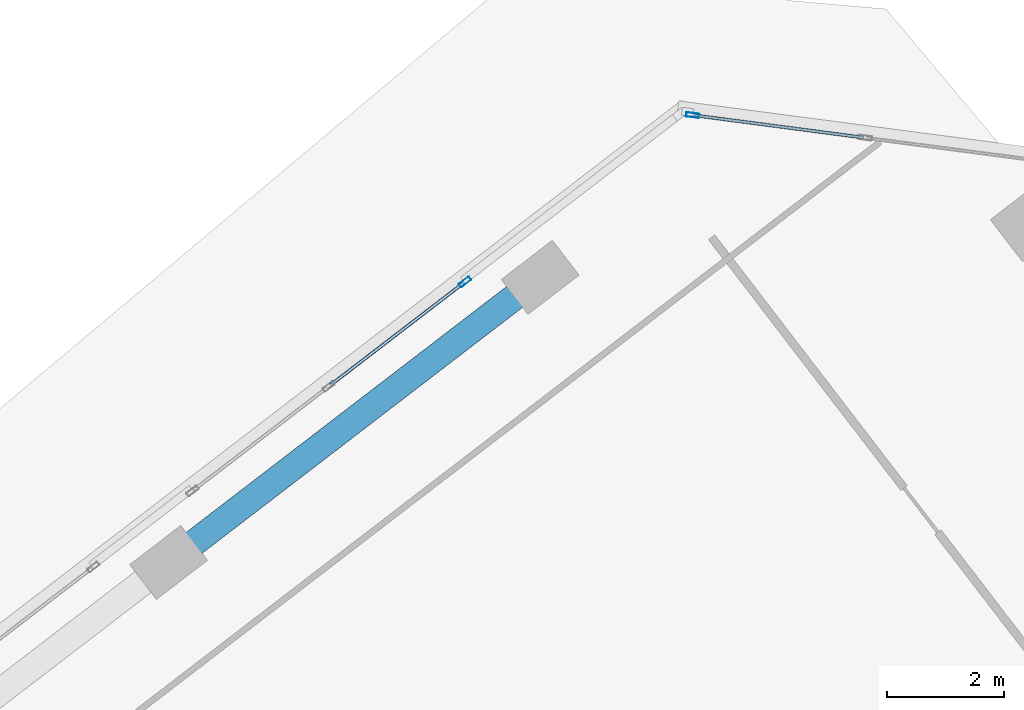
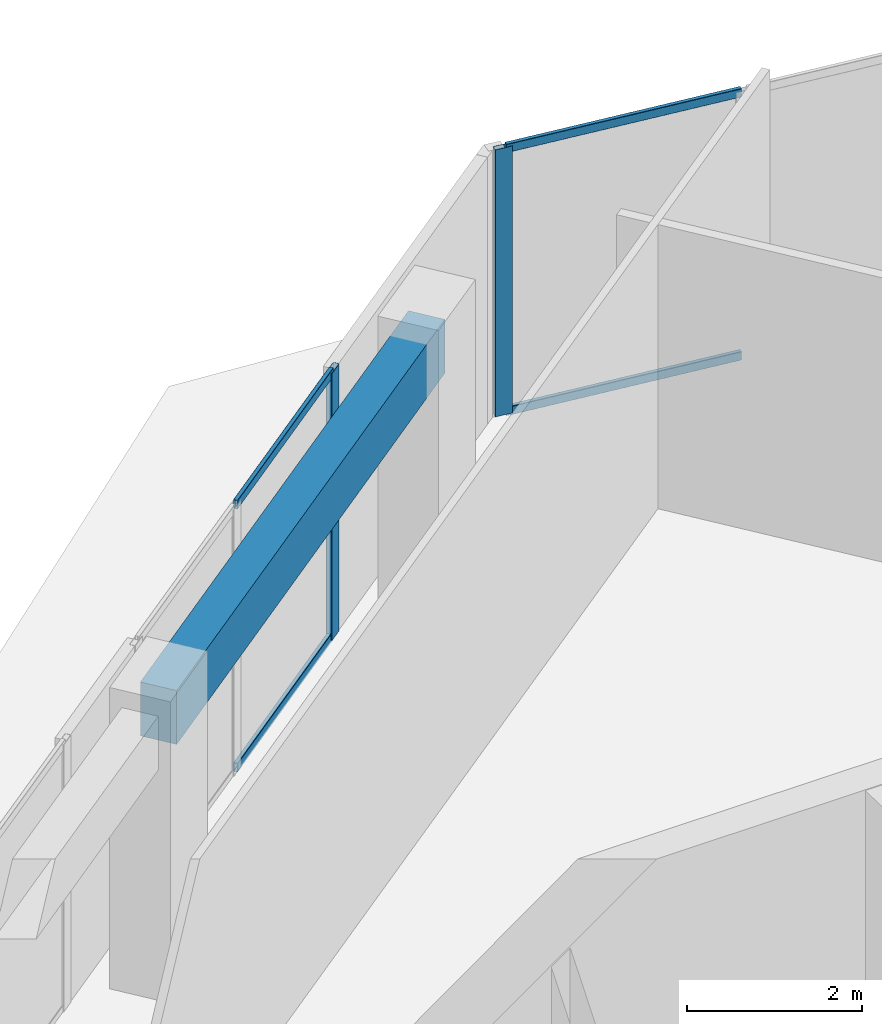
# One storey, part 9 of 17: 6 members, 1 beam, 2 elements without a shape of their own.
"""IFC4 building model written with IfcOpenShell, lengths in metres."""

import ifcopenshell
import ifcopenshell.guid

model = None  # the IFC model being written
_history = None  # IfcOwnerHistory: only IFC2X3 demands one
_inside = {}  # id of a spatial element -> (the spatial element, [elements in it])
_under = {}  # id of a project, library or spatial element -> (it, [spatial elements below it])
_declared = {}  # id of a project -> (the project, [libraries it declares])
_typed = {}  # id of a type object -> (the type object, [elements of that type])
_made_of = {}  # id of a material, layer set ... -> (it, [elements and type objects made of it])


def new_model(schema):
    """Start an empty IFC model of exactly this schema.

    Asked for "IFC4X3", IfcOpenShell would pick the latest addendum, in which some entities
    have other attributes; the version numbers below select the first issue.
    IFC2X3 requires an IfcOwnerHistory on every rooted entity: one is made here for all.
    """
    global model, _history
    if schema == "IFC4X3":
        model = ifcopenshell.file(schema_version=(4, 3, 0, 0))
    else:
        model = ifcopenshell.file(schema=schema)
    _inside.clear()
    _under.clear()
    _declared.clear()
    _typed.clear()
    _made_of.clear()
    _history = None
    if model.schema == "IFC2X3":
        org = make("IfcOrganization", Name="unknown")
        user = make(
            "IfcPersonAndOrganization",
            ThePerson=make("IfcPerson", FamilyName="unknown"),
            TheOrganization=org,
        )
        app = make(
            "IfcApplication",
            ApplicationDeveloper=org,
            Version="unknown",
            ApplicationFullName="unknown",
            ApplicationIdentifier="unknown",
        )
        _history = make(
            "IfcOwnerHistory",
            OwningUser=user,
            OwningApplication=app,
            ChangeAction="ADDED",
            CreationDate=0,
        )
    return model


def make(cls, **values):
    """One entity of the class cls with the attributes given. An attribute that is None is left unset."""
    return model.create_entity(
        cls, **{name: value for name, value in values.items() if value is not None}
    )


def rooted(cls, **values):
    """An entity with a GlobalId (a new one), such as an element, a storey or a relation."""
    return make(cls, GlobalId=ifcopenshell.guid.new(), OwnerHistory=_history, **values)


def si_unit(unit_type, name, prefix=None):
    """IfcSIUnit, for example si_unit("LENGTHUNIT", "METRE", prefix="MILLI")."""
    return make("IfcSIUnit", UnitType=unit_type, Prefix=prefix, Name=name)


def assignment(units):
    """IfcUnitAssignment: the units of a project."""
    return None if units is None else make("IfcUnitAssignment", Units=units)


def point(xyz):
    """IfcCartesianPoint."""
    return None if xyz is None else make("IfcCartesianPoint", Coordinates=xyz)


def direction(xyz):
    """IfcDirection."""
    return None if xyz is None else make("IfcDirection", DirectionRatios=xyz)


def frame(location, z_axis=None, x_axis=None):
    """IfcAxis2Placement3D, a coordinate frame: its origin and axes. An axis left out is left unset."""
    return make(
        "IfcAxis2Placement3D",
        Location=point(location),
        Axis=direction(z_axis),
        RefDirection=direction(x_axis),
    )


def frame_2d(location, x_axis=None):
    """IfcAxis2Placement2D, a coordinate frame in the plane: its origin and x axis."""
    return make(
        "IfcAxis2Placement2D", Location=point(location), RefDirection=direction(x_axis)
    )


def origin():
    """The frame at (0, 0, 0) with its axes left unset."""
    return frame((0.0, 0.0, 0.0))


def origin_2d():
    """The frame at (0, 0) in the plane with its x axis left unset."""
    return frame_2d((0.0, 0.0))


def place(relative_to, where):
    """IfcLocalPlacement: puts the frame where relative to a parent placement (None: the world)."""
    return make(
        "IfcLocalPlacement", PlacementRelTo=relative_to, RelativePlacement=where
    )


def context(
    kind, dimensions, precision=None, world=None, true_north=None, identifier=None
):
    """IfcGeometricRepresentationContext, for example the 3D "Model" context."""
    return make(
        "IfcGeometricRepresentationContext",
        ContextIdentifier=identifier,
        ContextType=kind,
        CoordinateSpaceDimension=dimensions,
        Precision=precision,
        WorldCoordinateSystem=world,
        TrueNorth=true_north,
    )


def subcontext(parent, identifier, kind, view, scale=None):
    """IfcGeometricRepresentationSubContext, for example "Body" below "Model"."""
    return make(
        "IfcGeometricRepresentationSubContext",
        ContextIdentifier=identifier,
        ContextType=kind,
        ParentContext=parent,
        TargetScale=scale,
        TargetView=view,
    )


def project(units=None, contexts=None):
    """IfcProject with its units and contexts."""
    return rooted(
        "IfcProject",
        Name="project",
        RepresentationContexts=contexts,
        UnitsInContext=assignment(units),
    )


def spatial(cls, under=None, at=None, **own):
    """A site, building, storey or space (cls), placed at a placement, below another one or the project."""
    s = rooted(cls, ObjectPlacement=at, **own)
    if under is not None:
        _under.setdefault(under.id(), (under, []))[1].append(s)
    return s


def profile(cls, at=None, kind="AREA", **sizes):
    """A parametric profile (cls). Its sizes go by their IFC names, for example OverallWidth=200.0."""
    return make(cls, ProfileType=kind, Position=at, **sizes)


def rectangle(**sizes):
    """IfcRectangleProfileDef."""
    return profile("IfcRectangleProfileDef", **sizes)


def hollow_rectangle(**sizes):
    """IfcRectangleHollowProfileDef."""
    return profile("IfcRectangleHollowProfileDef", **sizes)


def extrude(swept, where, along, depth):
    """IfcExtrudedAreaSolid: the profile swept, set in the frame where, extruded along a direction by depth."""
    return make(
        "IfcExtrudedAreaSolid",
        SweptArea=swept,
        Position=where,
        ExtrudedDirection=direction(along),
        Depth=depth,
    )


def shape(context_of_items, identifier, shape_type, items):
    """IfcShapeRepresentation: the items that make up one representation, for example the "Body"."""
    return make(
        "IfcShapeRepresentation",
        ContextOfItems=context_of_items,
        RepresentationIdentifier=identifier,
        RepresentationType=shape_type,
        Items=items,
    )


def source(mapping_origin, context_of_items, identifier, shape_type, items):
    """IfcRepresentationMap: a shape defined once, which mapped items show again and again."""
    return make(
        "IfcRepresentationMap",
        MappingOrigin=mapping_origin,
        MappedRepresentation=shape(context_of_items, identifier, shape_type, items),
    )


def transform(
    local_origin,
    x_axis=None,
    y_axis=None,
    z_axis=None,
    scale=None,
    scale2=None,
    scale3=None,
    uniform=True,
):
    """IfcCartesianTransformationOperator3D, or its non-uniform kind. x_axis, y_axis, z_axis: its Axis1, 2, 3."""
    if uniform:
        return make(
            "IfcCartesianTransformationOperator3D",
            Axis1=direction(x_axis),
            Axis2=direction(y_axis),
            LocalOrigin=point(local_origin),
            Scale=scale,
            Axis3=direction(z_axis),
        )
    return make(
        "IfcCartesianTransformationOperator3DnonUniform",
        Axis1=direction(x_axis),
        Axis2=direction(y_axis),
        LocalOrigin=point(local_origin),
        Scale=scale,
        Axis3=direction(z_axis),
        Scale2=scale2,
        Scale3=scale3,
    )


def mapped(mapping_source, mapping_target):
    """IfcMappedItem: shows the shape of a source again, moved by a transform."""
    return make(
        "IfcMappedItem", MappingSource=mapping_source, MappingTarget=mapping_target
    )


def material(Name=None, Category=None):
    """IfcMaterial."""
    return make("IfcMaterial", Name=Name, Category=Category)


def material_profile(
    of_material, cross_section, Name=None, Category=None, Priority=None
):
    """IfcMaterialProfile: a cross section and its material."""
    return make(
        "IfcMaterialProfile",
        Name=Name,
        Material=of_material,
        Profile=cross_section,
        Priority=Priority,
        Category=Category,
    )


def profile_set(profiles, Name=None, composite=None):
    """IfcMaterialProfileSet."""
    return make(
        "IfcMaterialProfileSet",
        Name=Name,
        MaterialProfiles=profiles,
        CompositeProfile=composite,
    )


def made_of(thing, what):
    """Note that an element or type object is made of a material, layer set ...; save() writes the relation."""
    if what is not None:
        _made_of.setdefault(what.id(), (what, []))[1].append(thing)
    return thing


def type_object(cls, material=None, **own):
    """A type object (cls), such as IfcWallType, which elements share."""
    return made_of(rooted(cls, **own), material)


def element(
    cls,
    number,
    at=None,
    inside=None,
    cuts=None,
    type_object=None,
    material=None,
    context=None,
    identifier="Body",
    shape_type=None,
    held_by="IfcProductDefinitionShape",
    body=None,
    shapes=None,
    **own,
):
    """One element of the class cls, such as IfcWall. Its Tag is "e" and its number.

    at: its placement. inside: the storey or other place that contains it. cuts: it is an
    opening in that element (IfcRelVoidsElement). A single representation is given by context,
    identifier, shape_type and body (its items); several are given by shapes. held_by: the class
    of the entity that holds the representations. save() writes the other relations.
    """
    e = rooted(cls, Tag="e%d" % number, ObjectPlacement=at, **own)
    if body is not None:
        shapes = [shape(context, identifier, shape_type, body)]
    if shapes is not None:
        e.Representation = make(held_by, Representations=shapes)
    if inside is not None:
        _inside.setdefault(inside.id(), (inside, []))[1].append(e)
    if cuts is not None:
        rooted(
            "IfcRelVoidsElement", RelatingBuildingElement=cuts, RelatedOpeningElement=e
        )
    if type_object is not None:
        _typed.setdefault(type_object.id(), (type_object, []))[1].append(e)
    return made_of(e, material)


def aggregate(whole, parts):
    """IfcRelAggregates: a whole, such as a stair, and the parts it consists of."""
    return rooted("IfcRelAggregates", RelatingObject=whole, RelatedObjects=parts)


def save(model, path):
    """Write the relations noted so far, then the file.

    IfcRelAggregates (storeys below a building ...), IfcRelContainedInSpatialStructure (elements
    in a storey), IfcRelDefinesByType, IfcRelAssociatesMaterial and IfcRelDeclares: one each for
    every whole, place, type object, material and project.
    """
    for whole, parts in _under.values():
        aggregate(whole, parts)
    for where, things in _inside.values():
        rooted(
            "IfcRelContainedInSpatialStructure",
            RelatedElements=things,
            RelatingStructure=where,
        )
    for kind, things in _typed.values():
        rooted("IfcRelDefinesByType", RelatedObjects=things, RelatingType=kind)
    for what, things in _made_of.values():
        rooted("IfcRelAssociatesMaterial", RelatedObjects=things, RelatingMaterial=what)
    for by, libraries in _declared.values():
        rooted("IfcRelDeclares", RelatingContext=by, RelatedDefinitions=libraries)
    model.write(path)


model = new_model("IFC4")

# Units and contexts
model_context = context("Model", 3, precision=1e-05, world=origin(), true_north=direction((0.0, 1.0)))
body_context = subcontext(model_context, "Body", "Model", "MODEL_VIEW")
ifc_project = project(units=[si_unit("LENGTHUNIT", "METRE"), si_unit("AREAUNIT", "SQUARE_METRE"), si_unit("VOLUMEUNIT", "CUBIC_METRE"), si_unit("PLANEANGLEUNIT", "RADIAN"), si_unit("MASSUNIT", "GRAM", prefix="KILO")], contexts=[model_context])

# Site, building, storey
site_placement = place(None, origin())
site = spatial("IfcSite", under=ifc_project, at=site_placement, CompositionType="ELEMENT")
building_placement = place(site_placement, origin())
building = spatial("IfcBuilding", under=site, at=building_placement, Name="Torre Montelarca", CompositionType="ELEMENT")
storey_placement = place(building_placement, frame((0.0, 0.0, 279.39990234375)))
storey = spatial("IfcBuildingStorey", under=building, at=storey_placement, Name="L63", CompositionType="ELEMENT", Elevation=279.39990234375)

# Beam
ifc_material_1 = material(Name="Concrete C55/67", Category="concrete")
ifc_material_profile_1 = material_profile(ifc_material_1, rectangle(XDim=0.449951171875, YDim=0.75, at=origin_2d()), Name="RCB450X750", Category="concrete")
ifc_profile_set_1 = profile_set([ifc_material_profile_1], Name="Concrete C55/67")
beam_type = type_object("IfcBeamType", Name="BM-SP-RC750-EXT", PredefinedType="SPANDREL", material=ifc_profile_set_1)
shared_shape_1 = source(origin(), body_context, "Body", "SweptSolid", [
    extrude(rectangle(XDim=0.449951171875, YDim=0.75, at=origin_2d()), origin(), (0.0, 0.0, 1.0), 8.0),
])
beam_placement = place(storey_placement, frame((11.242431640625, 45.367919921875, 3.585205078125), z_axis=(0.793344974033, 0.608772331974, 0.0), x_axis=(-0.608772331974, 0.793344974033, 0.0)))
element("IfcBeam", 1, at=beam_placement, inside=storey, type_object=beam_type, Name="L63 Grid Girder Y 32.0-40.0 at X=4.7", PredefinedType="SPANDREL", context=body_context, shape_type="MappedRepresentation", body=[
    mapped(shared_shape_1, transform((0.0, 0.0, 0.0), scale=1.0)),
])

# Curtain wall, members
ifc_material_2 = material(Name="Insulated low-E laminated glass", Category="glass")
curtain_wall_type = type_object("IfcCurtainWallType", Name="CW-SYS-Z3", PredefinedType="USERDEFINED", material=ifc_material_2)
curtain_wall_1_placement = place(storey_placement, origin())
curtain_wall_1 = element("IfcCurtainWall", 2, at=curtain_wall_1_placement, inside=storey, type_object=curtain_wall_type, Name="L63 Curtain Wall Run CW-T3-L63-E09-B1", ObjectType="UNITISED GLAZING", PredefinedType="USERDEFINED")
ifc_material_3 = material(Name="Anodised aluminium AA 6063-T6", Category="aluminium")
ifc_material_profile_2 = material_profile(ifc_material_3, hollow_rectangle(XDim=0.054931640625, YDim=0.1201171875, WallThickness=0.00341796875, InnerFilletRadius=0.00341796875, OuterFilletRadius=0.007080078125, at=origin_2d()), Name="ALU55X120X3.5", Category="aluminium")
ifc_profile_set_2 = profile_set([ifc_material_profile_2], Name="Anodised aluminium AA 6063-T6")
member_type_1 = type_object("IfcMemberType", Name="CWT-ALU120", PredefinedType="USERDEFINED", material=ifc_profile_set_2)
shared_shape_2 = source(origin(), body_context, "Body", "SweptSolid", [
    extrude(hollow_rectangle(XDim=0.054931640625, YDim=0.1201171875, WallThickness=0.00341796875, InnerFilletRadius=0.00341796875, OuterFilletRadius=0.007080078125, at=origin_2d()), origin(), (0.0, 0.0, 1.0), 2.903564453125),
])
member_1_placement = place(storey_placement, frame((23.107666015625, 52.62548828125, 0.027587890625), z_axis=(-0.991448284318, 0.130500189743, 0.0), x_axis=(-0.130500189743, -0.991448284318, 0.0)))
member_1 = element("IfcMember", 3, at=member_1_placement, type_object=member_type_1, Name="CW transom 2.1", ObjectType="TRANSOM", PredefinedType="USERDEFINED", context=body_context, shape_type="MappedRepresentation", body=[
    mapped(shared_shape_2, transform((0.0, 0.0, 0.0), scale=1.0)),
])
member_2_placement = place(storey_placement, frame((23.107666015625, 52.62548828125, 3.692626953125), z_axis=(-0.991448284318, 0.130500189743, 0.0), x_axis=(-0.130500189743, -0.991448284318, 0.0)))
member_2 = element("IfcMember", 4, at=member_2_placement, type_object=member_type_1, Name="CW transom 2.2", ObjectType="TRANSOM", PredefinedType="USERDEFINED", context=body_context, shape_type="MappedRepresentation", body=[
    mapped(shared_shape_2, transform((0.0, 0.0, 0.0), scale=1.0)),
])

curtain_wall_2_placement = place(storey_placement, origin())
curtain_wall_2 = element("IfcCurtainWall", 5, at=curtain_wall_2_placement, inside=storey, type_object=curtain_wall_type, Name="L63 Curtain Wall Run CW-T3-L63-E10-B1", ObjectType="UNITISED GLAZING", PredefinedType="USERDEFINED")
shared_shape_3 = source(origin(), body_context, "Body", "SweptSolid", [
    extrude(hollow_rectangle(XDim=0.054931640625, YDim=0.1201171875, WallThickness=0.00341796875, InnerFilletRadius=0.00341796875, OuterFilletRadius=0.007080078125, at=origin_2d()), origin(), (0.0, 0.0, 1.0), 2.857666015625),
])
member_3_placement = place(storey_placement, frame((16.274169921875, 50.13671875, 0.027587890625), z_axis=(-0.793328517532, -0.608793777292, 0.0), x_axis=(0.608793777292, -0.793328517532, 0.0)))
member_3 = element("IfcMember", 6, at=member_3_placement, type_object=member_type_1, Name="CW transom 1.1", ObjectType="TRANSOM", PredefinedType="USERDEFINED", context=body_context, shape_type="MappedRepresentation", body=[
    mapped(shared_shape_3, transform((0.0, 0.0, 0.0), scale=1.0)),
])
member_4_placement = place(storey_placement, frame((16.274169921875, 50.13671875, 3.692626953125), z_axis=(-0.793328517532, -0.608793777292, 0.0), x_axis=(0.608793777292, -0.793328517532, 0.0)))
member_4 = element("IfcMember", 7, at=member_4_placement, type_object=member_type_1, Name="CW transom 1.2", ObjectType="TRANSOM", PredefinedType="USERDEFINED", context=body_context, shape_type="MappedRepresentation", body=[
    mapped(shared_shape_3, transform((0.0, 0.0, 0.0), scale=1.0)),
])

# Member
ifc_material_profile_3 = material_profile(ifc_material_3, hollow_rectangle(XDim=0.074951171875, YDim=0.219970703125, WallThickness=0.0048828125, InnerFilletRadius=0.0048828125, OuterFilletRadius=0.010009765625, at=origin_2d()), Name="ALU75X220X5", Category="aluminium")
ifc_profile_set_3 = profile_set([ifc_material_profile_3], Name="Anodised aluminium AA 6063-T6")
member_type_2 = type_object("IfcMemberType", Name="CWM-ALU220", PredefinedType="MULLION", material=ifc_profile_set_3)
shared_shape_4 = source(origin(), body_context, "Body", "SweptSolid", [
    extrude(hollow_rectangle(XDim=0.074951171875, YDim=0.219970703125, WallThickness=0.0048828125, InnerFilletRadius=0.0048828125, OuterFilletRadius=0.010009765625, at=origin_2d()), origin(), (0.0, 0.0, 1.0), 3.72021484375),
])
member_5_placement = place(storey_placement, frame((20.19189453125, 53.009521484375, 0.0), z_axis=(0.0, 0.0, 1.0), x_axis=(-0.130514118862, -0.991446450787, 0.0)))
member_5 = element("IfcMember", 8, at=member_5_placement, type_object=member_type_2, Name="CW mullion 3", PredefinedType="MULLION", context=body_context, shape_type="MappedRepresentation", body=[
    mapped(shared_shape_4, transform((0.0, 0.0, 0.0), scale=1.0)),
])

aggregate(curtain_wall_1, [member_5, member_1, member_2])

member_6_placement = place(storey_placement, frame((16.303955078125, 50.159423828125, 0.0), z_axis=(0.0, 0.0, 1.0), x_axis=(0.608769012502, -0.793347521215, 0.0)))
member_6 = element("IfcMember", 9, at=member_6_placement, type_object=member_type_2, Name="CW mullion 1", PredefinedType="MULLION", context=body_context, shape_type="MappedRepresentation", body=[
    mapped(shared_shape_4, transform((0.0, 0.0, 0.0), scale=1.0)),
])

aggregate(curtain_wall_2, [member_6, member_3, member_4])

save(model, "model.ifc")
